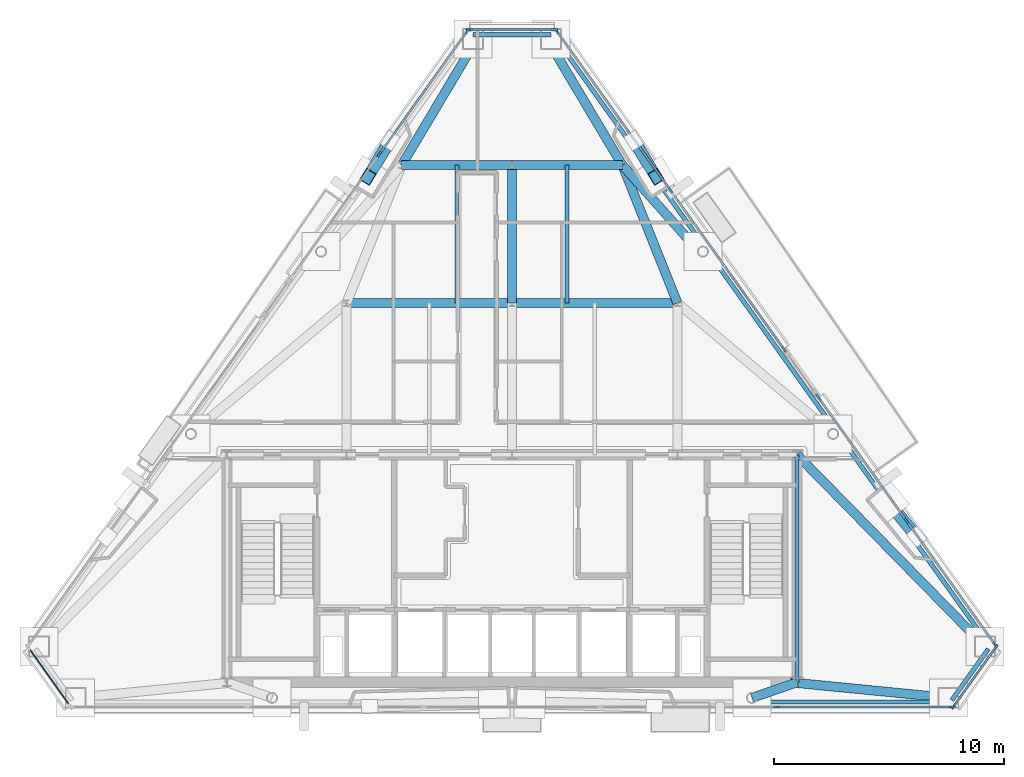
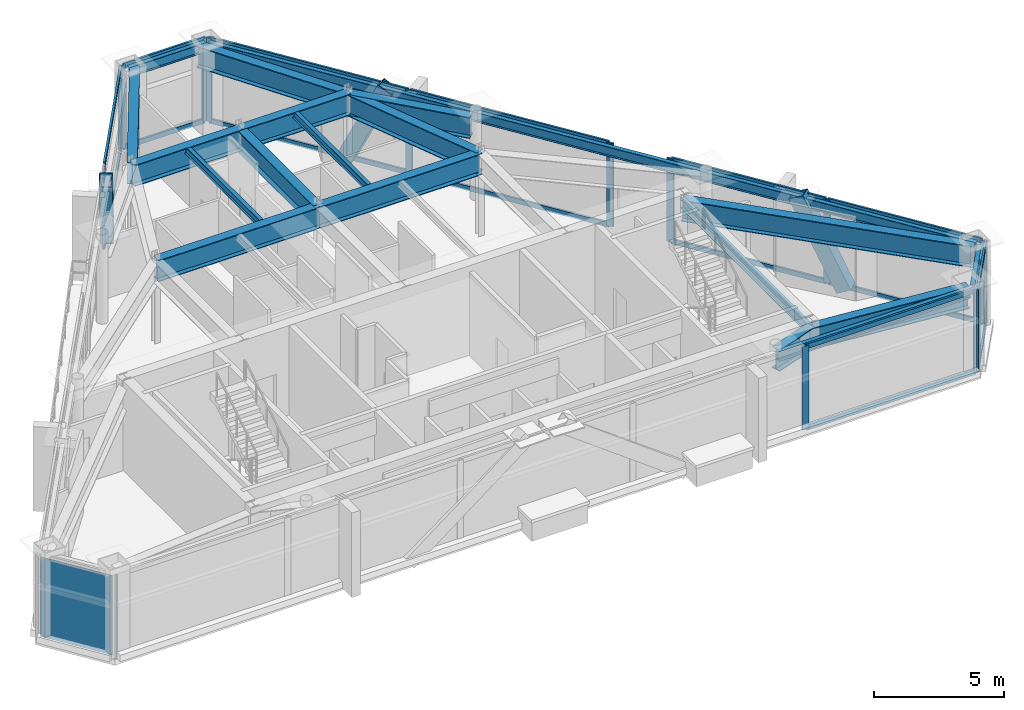
# One storey, part 4 of 10: 33 members, 21 beams, 1 plate, 7 elements without a shape of their own.
"""IFC4 building model written with IfcOpenShell, lengths in metres."""

from ifc_helpers import new_model, si_unit, direction, frame, origin, origin_2d, place, context, subcontext, project, spatial, rectangle, hollow_rectangle, i_section, extrude, source, transform, mapped, material, layer, layer_set, material_profile, profile_set, type_object, type_shapes, element, aggregate, save


model = new_model("IFC4")

# Units and contexts
model_context = context("Model", 3, precision=1e-05, world=origin(), true_north=direction((0.0, 1.0)))
body_context = subcontext(model_context, "Body", "Model", "MODEL_VIEW")
ifc_project = project(units=[si_unit("LENGTHUNIT", "METRE"), si_unit("AREAUNIT", "SQUARE_METRE"), si_unit("VOLUMEUNIT", "CUBIC_METRE"), si_unit("PLANEANGLEUNIT", "RADIAN"), si_unit("MASSUNIT", "GRAM", prefix="KILO")], contexts=[model_context])

# Site, building, storey
site_placement = place(None, origin())
site = spatial("IfcSite", under=ifc_project, at=site_placement, CompositionType="ELEMENT")
building_placement = place(site_placement, origin())
building = spatial("IfcBuilding", under=site, at=building_placement, Name="Talgorran Terracotta Tower", CompositionType="ELEMENT")
storey_placement = place(building_placement, frame((0.0, 0.0, 289.199951171875)))
storey = spatial("IfcBuildingStorey", under=building, at=storey_placement, Name="L76", CompositionType="ELEMENT", Elevation=289.199951171875)

# Beams
ifc_material_1 = material(Name="Steel Grade 350 (350L0)", Category="steel")
ifc_material_profile_1 = material_profile(ifc_material_1, i_section(OverallWidth=0.39990234375, OverallDepth=1.0, WebThickness=0.01611328125, FlangeThickness=0.031005859375, at=origin_2d()), Name="1000WB296")
ifc_profile_set_1 = profile_set([ifc_material_profile_1], Name="Steel Grade 350 (350L0)")
beam_type_1 = type_object("IfcBeamType", Name="BM_1000WB296", PredefinedType="BEAM", material=ifc_profile_set_1)
beam_1_placement = place(storey_placement, frame((12.39990234375, -14.10009765625, 3.420166015625), z_axis=(-0.945513197236, -0.325583773939, 0.0), x_axis=(0.325583773939, -0.945513197236, 0.0)))
element("IfcBeam", 1, at=beam_1_placement, inside=storey, type_object=beam_type_1, Name="L76 South-East Core Tie Beam", PredefinedType="BEAM", context=body_context, shape_type="SweptSolid", body=[
    extrude(i_section(OverallWidth=0.39990234375, OverallDepth=1.0, WebThickness=0.01611328125, FlangeThickness=0.031005859375, at=origin_2d()), origin(), (0.0, 0.0, 1.0), 2.071044921875),
])
beam_2_placement = place(storey_placement, frame((18.984619140625, -14.7744140625, 3.420166015625), z_axis=(-0.995237458524, 0.097480260309, 0.0), x_axis=(-0.097480260309, -0.995237458524, 0.0)))
element("IfcBeam", 2, at=beam_2_placement, inside=storey, type_object=beam_type_1, Name="L76 Perimeter Step Girder 5", PredefinedType="BEAM", context=body_context, shape_type="SweptSolid", body=[
    extrude(i_section(OverallWidth=0.39990234375, OverallDepth=1.0, WebThickness=0.01611328125, FlangeThickness=0.031005859375, at=origin_2d()), origin(), (0.0, 0.0, 1.0), 6.91748046875),
])
for number, where, z_axis, x_axis, name in (
    (3, (1.4267578125, 14.0546875, 3.420166015625), (0.512307567748, -0.858802047056, 0.0), (0.858802047056, 0.512307567748, 0.0), "L76 Perimeter Step Girder 9B"),
    (4, (-1.4267578125, 14.0546875, 3.420166015625), (-0.512307567748, -0.858802047056, 0.0), (0.858802047056, -0.512307567748, 0.0), "L76 Perimeter Step Girder 10B"),
):
    element("IfcBeam", number, at=place(storey_placement, frame(where, z_axis=z_axis, x_axis=x_axis)), inside=storey, type_object=beam_type_1, Name=name, PredefinedType="BEAM", context=body_context, shape_type="SweptSolid", body=[
        extrude(i_section(OverallWidth=0.39990234375, OverallDepth=1.0, WebThickness=0.01611328125, FlangeThickness=0.031005859375, at=origin_2d()), origin(), (0.0, 0.0, 1.0), 6.58447265625),
    ])
for number, where, z_axis, x_axis, name in (
    (5, (-7.199951171875, 2.39990234375, 3.420166015625), (1.0, 0.0, 0.0), (0.0, 1.0, 0.0), "L76 Floor Girder G04"),
    (6, (0.0, 2.39990234375, 3.420166015625), (1.0, 0.0, 0.0), (0.0, 1.0, 0.0), "L76 Floor Girder G05"),
):
    element("IfcBeam", number, at=place(storey_placement, frame(where, z_axis=z_axis, x_axis=x_axis)), inside=storey, type_object=beam_type_1, Name=name, PredefinedType="BEAM", context=body_context, shape_type="SweptSolid", body=[
        extrude(i_section(OverallWidth=0.39990234375, OverallDepth=1.0, WebThickness=0.01611328125, FlangeThickness=0.031005859375, at=origin_2d()), origin(), (0.0, 0.0, 1.0), 7.199951171875),
    ])
beam_3_placement = place(storey_placement, frame((0.0, 2.39990234375, 3.420166015625), z_axis=(0.0, 1.0, 0.0), x_axis=(-1.0, 0.0, 0.0)))
element("IfcBeam", 7, at=beam_3_placement, inside=storey, type_object=beam_type_1, Name="L76 Floor Girder G09", PredefinedType="BEAM", context=body_context, shape_type="SweptSolid", body=[
    extrude(i_section(OverallWidth=0.39990234375, OverallDepth=1.0, WebThickness=0.01611328125, FlangeThickness=0.031005859375, at=origin_2d()), origin(), (0.0, 0.0, 1.0), 6.0),
])
beam_4_placement = place(storey_placement, frame((7.199951171875, 2.39990234375, 3.420166015625), z_axis=(-0.371377648723, 0.928481901832, 0.0), x_axis=(-0.928481901832, -0.371377648723, 0.0)))
element("IfcBeam", 8, at=beam_4_placement, inside=storey, type_object=beam_type_1, Name="L76 Floor Girder G10", PredefinedType="BEAM", context=body_context, shape_type="SweptSolid", body=[
    extrude(i_section(OverallWidth=0.39990234375, OverallDepth=1.0, WebThickness=0.01611328125, FlangeThickness=0.031005859375, at=origin_2d()), origin(), (0.0, 0.0, 1.0), 6.462158203125),
])
for number, where, z_axis, x_axis, name in (
    (9, (-4.800048828125, 8.39990234375, 3.420166015625), (1.0, 0.0, 0.0), (0.0, 1.0, 0.0), "L76 Floor Girder G11"),
    (10, (0.0, 8.39990234375, 3.420166015625), (1.0, 0.0, 0.0), (0.0, 1.0, 0.0), "L76 Floor Girder G12"),
):
    element("IfcBeam", number, at=place(storey_placement, frame(where, z_axis=z_axis, x_axis=x_axis)), inside=storey, type_object=beam_type_1, Name=name, PredefinedType="BEAM", context=body_context, shape_type="SweptSolid", body=[
        extrude(i_section(OverallWidth=0.39990234375, OverallDepth=1.0, WebThickness=0.01611328125, FlangeThickness=0.031005859375, at=origin_2d()), origin(), (0.0, 0.0, 1.0), 4.800048828125),
    ])
beam_5_placement = place(storey_placement, frame((4.800048828125, 8.39990234375, 3.420166015625), z_axis=(0.664939305992, -0.746897395462, 0.0), x_axis=(0.746897395462, 0.664939305992, 0.0)))
element("IfcBeam", 11, at=beam_5_placement, inside=storey, type_object=beam_type_1, Name="L76 Floor Girder G14", PredefinedType="BEAM", context=body_context, shape_type="SweptSolid", body=[
    extrude(i_section(OverallWidth=0.39990234375, OverallDepth=1.0, WebThickness=0.01611328125, FlangeThickness=0.031005859375, at=origin_2d()), origin(), (0.0, 0.0, 1.0), 5.00146484375),
])
beam_6_placement = place(storey_placement, frame((12.39990234375, -4.199951171875, 3.420166015625), z_axis=(0.700061173466, -0.714082875726, 0.0), x_axis=(0.714082875726, 0.700061173466, 0.0)))
element("IfcBeam", 12, at=beam_6_placement, inside=storey, type_object=beam_type_1, Name="L76 Floor Girder G18", PredefinedType="BEAM", context=body_context, shape_type="SweptSolid", body=[
    extrude(i_section(OverallWidth=0.39990234375, OverallDepth=1.0, WebThickness=0.01611328125, FlangeThickness=0.031005859375, at=origin_2d()), origin(), (0.0, 0.0, 1.0), 11.68310546875),
])
ifc_material_2 = material(Name="Steel S355 (300PLUS)", Category="steel")
ifc_material_profile_2 = material_profile(ifc_material_2, i_section(OverallWidth=0.17138671875, OverallDepth=0.355712890625, WebThickness=0.00732421875, FlangeThickness=0.011474609375, at=origin_2d()), Name="360UB50.7")
ifc_profile_set_2 = profile_set([ifc_material_profile_2], Name="Steel S355 (300PLUS)")
beam_type_2 = type_object("IfcBeamType", Name="BM_JS_360UB51", PredefinedType="JOIST", material=ifc_profile_set_2)
for number, where, z_axis, x_axis, name in (
    (13, (-2.39990234375, 2.39990234375, 3.7421875), (0.0, 1.0, 0.0), (-1.0, 0.0, 0.0), "L76 Secondary Joist J03"),
    (14, (2.39990234375, 2.39990234375, 3.7421875), (0.0, 1.0, 0.0), (-1.0, 0.0, 0.0), "L76 Secondary Joist J04"),
):
    element("IfcBeam", number, at=place(storey_placement, frame(where, z_axis=z_axis, x_axis=x_axis)), inside=storey, type_object=beam_type_2, Name=name, PredefinedType="JOIST", context=body_context, shape_type="SweptSolid", body=[
        extrude(i_section(OverallWidth=0.17138671875, OverallDepth=0.355712890625, WebThickness=0.00732421875, FlangeThickness=0.011474609375, at=origin_2d()), origin(), (0.0, 0.0, 1.0), 6.0),
    ])
ifc_material_profile_3 = material_profile(ifc_material_2, i_section(OverallWidth=0.18994140625, OverallDepth=0.45703125, WebThickness=0.009033203125, FlangeThickness=0.014404296875, at=origin_2d()), Name="460UB74.6")
ifc_profile_set_3 = profile_set([ifc_material_profile_3], Name="Steel S355 (300PLUS)")
beam_type_3 = type_object("IfcBeamType", Name="BM_SP_460UB74", PredefinedType="SPANDREL", material=ifc_profile_set_3)
beam_7_placement = place(storey_placement, frame((10.441650390625, -14.954345703125, 3.691650390625), z_axis=(1.0, 0.0, 0.0), x_axis=(0.0, 1.0, 0.0)))
element("IfcBeam", 15, at=beam_7_placement, inside=storey, type_object=beam_type_3, Name="L76 Perimeter Spandrel Beam FC2-MC3", PredefinedType="SPANDREL", context=body_context, shape_type="SweptSolid", body=[
    extrude(i_section(OverallWidth=0.18994140625, OverallDepth=0.45703125, WebThickness=0.009033203125, FlangeThickness=0.014404296875, at=origin_2d()), origin(), (0.0, 0.0, 1.0), 8.54296875),
])
beam_8_placement = place(storey_placement, frame((19.131103515625, -14.87890625, 3.691650390625), z_axis=(0.581322401873, 0.813673315945, 0.0), x_axis=(-0.813673315945, 0.581322401873, 0.0)))
element("IfcBeam", 16, at=beam_8_placement, inside=storey, type_object=beam_type_3, Name="L76 Perimeter Spandrel Beam MC3-MC4", PredefinedType="SPANDREL", context=body_context, shape_type="SweptSolid", body=[
    extrude(i_section(OverallWidth=0.18994140625, OverallDepth=0.45703125, WebThickness=0.009033203125, FlangeThickness=0.014404296875, at=origin_2d()), origin(), (0.0, 0.0, 1.0), 2.742431640625),
])
beam_9_placement = place(storey_placement, frame((20.725341796875, -12.438232421875, 3.691650390625), z_axis=(-0.581260538156, 0.813717510431, 0.0), x_axis=(-0.813717510431, -0.581260538156, 0.0)))
element("IfcBeam", 17, at=beam_9_placement, inside=storey, type_object=beam_type_3, Name="L76 Perimeter Spandrel Beam MC4-FC3", PredefinedType="SPANDREL", context=body_context, shape_type="SweptSolid", body=[
    extrude(i_section(OverallWidth=0.18994140625, OverallDepth=0.45703125, WebThickness=0.009033203125, FlangeThickness=0.014404296875, at=origin_2d()), origin(), (0.0, 0.0, 1.0), 11.369140625),
])
beam_10_placement = place(storey_placement, frame((14.116943359375, -3.18701171875, 3.691650390625), z_axis=(-0.58124293337, 0.813730085721, 0.0), x_axis=(-0.813730085721, -0.58124293337, 0.0)))
element("IfcBeam", 18, at=beam_10_placement, inside=storey, type_object=beam_type_3, Name="L76 Perimeter Spandrel Beam FC3-FC4", PredefinedType="SPANDREL", context=body_context, shape_type="SweptSolid", body=[
    extrude(i_section(OverallWidth=0.18994140625, OverallDepth=0.45703125, WebThickness=0.009033203125, FlangeThickness=0.014404296875, at=origin_2d()), origin(), (0.0, 0.0, 1.0), 9.7451171875),
])
beam_11_placement = place(storey_placement, frame((8.45263671875, 4.742919921875, 3.691650390625), z_axis=(-0.581246319121, 0.813727667287, 0.0), x_axis=(-0.813727667287, -0.581246319121, 0.0)))
element("IfcBeam", 19, at=beam_11_placement, inside=storey, type_object=beam_type_3, Name="L76 Perimeter Spandrel Beam FC4-MC5", PredefinedType="SPANDREL", context=body_context, shape_type="SweptSolid", body=[
    extrude(i_section(OverallWidth=0.18994140625, OverallDepth=0.45703125, WebThickness=0.009033203125, FlangeThickness=0.014404296875, at=origin_2d()), origin(), (0.0, 0.0, 1.0), 11.368896484375),
])
beam_12_placement = place(storey_placement, frame((1.697998046875, 14.069580078125, 3.691650390625), z_axis=(-1.0, 0.0, 0.0), x_axis=(0.0, -1.0, 0.0)))
element("IfcBeam", 20, at=beam_12_placement, inside=storey, type_object=beam_type_3, Name="L76 Perimeter Spandrel Beam MC5-MC6", PredefinedType="SPANDREL", context=body_context, shape_type="SweptSolid", body=[
    extrude(i_section(OverallWidth=0.18994140625, OverallDepth=0.45703125, WebThickness=0.009033203125, FlangeThickness=0.014404296875, at=origin_2d()), origin(), (0.0, 0.0, 1.0), 3.39599609375),
])
beam_13_placement = place(storey_placement, frame((12.39990234375, -14.10009765625, 3.691650390625), z_axis=(0.0, 1.0, 0.0), x_axis=(-1.0, 0.0, 0.0)))
element("IfcBeam", 21, at=beam_13_placement, inside=storey, type_object=beam_type_3, Name="L76 Core Frame Beam CFE", PredefinedType="SPANDREL", context=body_context, shape_type="SweptSolid", body=[
    extrude(i_section(OverallWidth=0.18994140625, OverallDepth=0.45703125, WebThickness=0.009033203125, FlangeThickness=0.014404296875, at=origin_2d()), origin(), (0.0, 0.0, 1.0), 9.900146484375),
])

# Members
ifc_material_profile_4 = material_profile(ifc_material_1, hollow_rectangle(XDim=0.52001953125, YDim=0.659912109375, WallThickness=0.034912109375, at=origin_2d()), Name="WBOX660X520X35")
ifc_profile_set_4 = profile_set([ifc_material_profile_4], Name="Steel Grade 350 (350L0)")
member_type_1 = type_object("IfcMemberType", Name="MB_MEGA_660", PredefinedType="BRACE", material=ifc_profile_set_4)
member_1_placement = place(storey_placement, frame((17.6083984375, -7.764892578125, -0.02490234375), z_axis=(-0.283163616823, 0.342066498003, 0.895996025132), x_axis=(-0.770312351135, -0.637666748145, 0.0)))
element("IfcMember", 22, at=member_1_placement, inside=storey, type_object=member_type_1, Name="L76 Exterior Face Mega-Brace MB-3 (NEL)", PredefinedType="BRACE", context=body_context, shape_type="SweptSolid", body=[
    extrude(hollow_rectangle(XDim=0.52001953125, YDim=0.659912109375, WallThickness=0.034912109375, at=origin_2d()), origin(), (0.0, 0.0, 1.0), 4.430908203125),
])
for number, where, z_axis, x_axis, name in (
    (23, (5.296142578125, 9.471435546875, -0.02490234375), (0.22159996445, -0.361033024032, 0.905841383087), (0.852262770099, 0.523113917521, 0.0), "L76 Exterior Face Mega-Brace MB-3 (NEU)"),
    (24, (-5.296142578125, 9.471435546875, -0.02490234375), (-0.22159996445, -0.361033024032, 0.905841383087), (0.852262770099, -0.523113917521, 0.0), "L76 Exterior Face Mega-Brace MB-3 (NWU)"),
):
    element("IfcMember", number, at=place(storey_placement, frame(where, z_axis=z_axis, x_axis=x_axis)), inside=storey, type_object=member_type_1, Name=name, PredefinedType="BRACE", context=body_context, shape_type="SweptSolid", body=[
        extrude(hollow_rectangle(XDim=0.52001953125, YDim=0.659912109375, WallThickness=0.034912109375, at=origin_2d()), origin(), (0.0, 0.0, 1.0), 4.382568359375),
    ])

# Curtain wall, members
ifc_material_3 = material(Name="Structural Laminated Low-Iron")
ifc_layer_1 = layer(ifc_material_3, 0.239990234375, Name="CW_SYS5_SKY_OBS")
ifc_layer_set_1 = layer_set([ifc_layer_1], Name="Structural Laminated Low-Iron")
curtain_wall_type = type_object("IfcCurtainWallType", Name="CW_SYS5_SKY_OBS", PredefinedType="NOTDEFINED", material=ifc_layer_set_1)
curtain_wall_1_placement = place(storey_placement, origin())
curtain_wall_1 = element("IfcCurtainWall", 25, at=curtain_wall_1_placement, inside=storey, type_object=curtain_wall_type, Name="CW-L76-F1", PredefinedType="NOTDEFINED")
ifc_material_4 = material(Name="Architectural Aluminium 6063-T6", Category="aluminium")
ifc_material_profile_5 = material_profile(ifc_material_4, rectangle(XDim=0.090087890625, YDim=0.280029296875, at=origin_2d()), Name="CWM90X280")
ifc_profile_set_5 = profile_set([ifc_material_profile_5], Name="Architectural Aluminium 6063-T6")
member_type_2 = type_object("IfcMemberType", Name="MUL_90X280", PredefinedType="MULLION", material=ifc_profile_set_5)
member_2_placement = place(storey_placement, frame((11.514404296875, -15.17431640625, 0.0), z_axis=(0.0, 0.0, 1.0), x_axis=(0.0, 1.0, 0.0)))
member_2 = element("IfcMember", 26, at=member_2_placement, type_object=member_type_2, Name="CW-L76-1 mullion 5", PredefinedType="MULLION", context=body_context, shape_type="SweptSolid", body=[
    extrude(rectangle(XDim=0.090087890625, YDim=0.280029296875, at=origin_2d()), origin(), (0.0, 0.0, 1.0), 3.920166015625),
])
member_3_placement = place(storey_placement, frame((19.1455078125, -15.17431640625, 0.0), z_axis=(0.0, 0.0, 1.0), x_axis=(0.0, 1.0, 0.0)))
member_3 = element("IfcMember", 27, at=member_3_placement, type_object=member_type_2, Name="CW-L76-1 mullion 6", PredefinedType="MULLION", context=body_context, shape_type="SweptSolid", body=[
    extrude(rectangle(XDim=0.090087890625, YDim=0.280029296875, at=origin_2d()), origin(), (0.0, 0.0, 1.0), 3.920166015625),
])

curtain_wall_2_placement = place(storey_placement, origin())
curtain_wall_2 = element("IfcCurtainWall", 28, at=curtain_wall_2_placement, inside=storey, type_object=curtain_wall_type, Name="CW-L76-F2", PredefinedType="NOTDEFINED")
member_4_placement = place(storey_placement, frame((19.216552734375, -15.1376953125, 0.0), z_axis=(0.0, 0.0, 1.0), x_axis=(-0.813720935413, 0.58125574343, 0.0)))
member_4 = element("IfcMember", 29, at=member_4_placement, type_object=member_type_2, Name="CW-L76-2 mullion 1", PredefinedType="MULLION", context=body_context, shape_type="SweptSolid", body=[
    extrude(rectangle(XDim=0.090087890625, YDim=0.280029296875, at=origin_2d()), origin(), (0.0, 0.0, 1.0), 3.920166015625),
])
member_5_placement = place(storey_placement, frame((21.044189453125, -12.579345703125, 0.0), z_axis=(0.0, 0.0, 1.0), x_axis=(-0.813720935413, 0.58125574343, 0.0)))
member_5 = element("IfcMember", 30, at=member_5_placement, type_object=member_type_2, Name="CW-L76-2 mullion 2", PredefinedType="MULLION", context=body_context, shape_type="SweptSolid", body=[
    extrude(rectangle(XDim=0.090087890625, YDim=0.280029296875, at=origin_2d()), origin(), (0.0, 0.0, 1.0), 3.920166015625),
])

curtain_wall_3_placement = place(storey_placement, origin())
curtain_wall_3 = element("IfcCurtainWall", 31, at=curtain_wall_3_placement, inside=storey, type_object=curtain_wall_type, Name="CW-L76-F40", PredefinedType="NOTDEFINED")
member_6_placement = place(storey_placement, frame((21.020751953125, -12.4736328125, 0.0), z_axis=(0.0, 0.0, 1.0), x_axis=(-0.813728408553, -0.581245281369, 0.0)))
member_6 = element("IfcMember", 32, at=member_6_placement, type_object=member_type_2, Name="CW-L76-40 mullion 1", PredefinedType="MULLION", context=body_context, shape_type="SweptSolid", body=[
    extrude(rectangle(XDim=0.090087890625, YDim=0.280029296875, at=origin_2d()), origin(), (0.0, 0.0, 1.0), 3.920166015625),
])
member_7_placement = place(storey_placement, frame((17.168212890625, -7.080078125, 0.0), z_axis=(0.0, 0.0, 1.0), x_axis=(-0.813728408553, -0.581245281369, 0.0)))
member_7 = element("IfcMember", 33, at=member_7_placement, type_object=member_type_2, Name="CW-L76-40 mullion 2", PredefinedType="MULLION", context=body_context, shape_type="SweptSolid", body=[
    extrude(rectangle(XDim=0.090087890625, YDim=0.280029296875, at=origin_2d()), origin(), (0.0, 0.0, 1.0), 3.920166015625),
])
member_8_placement = place(storey_placement, frame((13.315673828125, -1.6865234375, 0.0), z_axis=(0.0, 0.0, 1.0), x_axis=(-0.813728408553, -0.581245281369, 0.0)))
member_8 = element("IfcMember", 34, at=member_8_placement, type_object=member_type_2, Name="CW-L76-40 mullion 3", PredefinedType="MULLION", context=body_context, shape_type="SweptSolid", body=[
    extrude(rectangle(XDim=0.090087890625, YDim=0.280029296875, at=origin_2d()), origin(), (0.0, 0.0, 1.0), 3.920166015625),
])

curtain_wall_4_placement = place(storey_placement, origin())
curtain_wall_4 = element("IfcCurtainWall", 35, at=curtain_wall_4_placement, inside=storey, type_object=curtain_wall_type, Name="CW-L76-F41", PredefinedType="NOTDEFINED")
member_9_placement = place(storey_placement, frame((11.83349609375, 0.388427734375, 0.0), z_axis=(0.0, 0.0, 1.0), x_axis=(-0.813726749352, -0.5812476042, 0.0)))
member_9 = element("IfcMember", 36, at=member_9_placement, type_object=member_type_2, Name="CW-L76-41 mullion 1", PredefinedType="MULLION", context=body_context, shape_type="SweptSolid", body=[
    extrude(rectangle(XDim=0.090087890625, YDim=0.280029296875, at=origin_2d()), origin(), (0.0, 0.0, 1.0), 3.920166015625),
])
member_10_placement = place(storey_placement, frame((6.893310546875, 7.304443359375, 0.0), z_axis=(0.0, 0.0, 1.0), x_axis=(-0.813726749352, -0.5812476042, 0.0)))
member_10 = element("IfcMember", 37, at=member_10_placement, type_object=member_type_2, Name="CW-L76-41 mullion 2", PredefinedType="MULLION", context=body_context, shape_type="SweptSolid", body=[
    extrude(rectangle(XDim=0.090087890625, YDim=0.280029296875, at=origin_2d()), origin(), (0.0, 0.0, 1.0), 3.920166015625),
])
member_11_placement = place(storey_placement, frame((1.953125, 14.220458984375, 0.0), z_axis=(0.0, 0.0, 1.0), x_axis=(-0.813726749352, -0.5812476042, 0.0)))
member_11 = element("IfcMember", 38, at=member_11_placement, type_object=member_type_2, Name="CW-L76-41 mullion 3", PredefinedType="MULLION", context=body_context, shape_type="SweptSolid", body=[
    extrude(rectangle(XDim=0.090087890625, YDim=0.280029296875, at=origin_2d()), origin(), (0.0, 0.0, 1.0), 3.920166015625),
])

curtain_wall_5_placement = place(storey_placement, origin())
curtain_wall_5 = element("IfcCurtainWall", 39, at=curtain_wall_5_placement, inside=storey, type_object=curtain_wall_type, Name="CW-L76-F4", PredefinedType="NOTDEFINED")
member_12_placement = place(storey_placement, frame((1.858642578125, 14.28955078125, 0.0), z_axis=(0.0, 0.0, 1.0), x_axis=(0.0, -1.0, 0.0)))
member_12 = element("IfcMember", 40, at=member_12_placement, type_object=member_type_2, Name="CW-L76-4 mullion 1", PredefinedType="MULLION", context=body_context, shape_type="SweptSolid", body=[
    extrude(rectangle(XDim=0.090087890625, YDim=0.280029296875, at=origin_2d()), origin(), (0.0, 0.0, 1.0), 3.920166015625),
])
member_13_placement = place(storey_placement, frame((-1.858642578125, 14.28955078125, 0.0), z_axis=(0.0, 0.0, 1.0), x_axis=(0.0, -1.0, 0.0)))
member_13 = element("IfcMember", 41, at=member_13_placement, type_object=member_type_2, Name="CW-L76-4 mullion 2", PredefinedType="MULLION", context=body_context, shape_type="SweptSolid", body=[
    extrude(rectangle(XDim=0.090087890625, YDim=0.280029296875, at=origin_2d()), origin(), (0.0, 0.0, 1.0), 3.920166015625),
])

curtain_wall_6_placement = place(storey_placement, origin())
curtain_wall_6 = element("IfcCurtainWall", 42, at=curtain_wall_6_placement, inside=storey, type_object=curtain_wall_type, Name="CW-L76-F60", PredefinedType="NOTDEFINED")
member_14_placement = place(storey_placement, frame((-1.953125, 14.220458984375, 0.0), z_axis=(0.0, 0.0, 1.0), x_axis=(0.813728364444, -0.581245343121, 0.0)))
member_14 = element("IfcMember", 43, at=member_14_placement, type_object=member_type_2, Name="CW-L76-60 mullion 1", PredefinedType="MULLION", context=body_context, shape_type="SweptSolid", body=[
    extrude(rectangle(XDim=0.090087890625, YDim=0.280029296875, at=origin_2d()), origin(), (0.0, 0.0, 1.0), 3.920166015625),
])
member_15_placement = place(storey_placement, frame((-5.772216796875, 8.873779296875, 0.0), z_axis=(0.0, 0.0, 1.0), x_axis=(0.813728364444, -0.581245343121, 0.0)))
member_15 = element("IfcMember", 44, at=member_15_placement, type_object=member_type_2, Name="CW-L76-60 mullion 2", PredefinedType="MULLION", context=body_context, shape_type="SweptSolid", body=[
    extrude(rectangle(XDim=0.090087890625, YDim=0.280029296875, at=origin_2d()), origin(), (0.0, 0.0, 1.0), 3.920166015625),
])

# Member
ifc_material_profile_6 = material_profile(ifc_material_4, rectangle(XDim=0.090087890625, YDim=0.22509765625, at=origin_2d()), Name="CWT90X225")
ifc_profile_set_6 = profile_set([ifc_material_profile_6], Name="Architectural Aluminium 6063-T6")
member_type_3 = type_object("IfcMemberType", Name="TRN_90X225", PredefinedType="USERDEFINED", material=ifc_profile_set_6)
member_16_placement = place(storey_placement, frame((11.559326171875, -15.17431640625, 0.045166015625), z_axis=(1.0, 0.0, 0.0), x_axis=(0.0, 1.0, 0.0)))
member_16 = element("IfcMember", 45, at=member_16_placement, type_object=member_type_3, Name="CW-L76-1 transom 5.1", ObjectType="TRANSOM", PredefinedType="USERDEFINED", context=body_context, shape_type="SweptSolid", body=[
    extrude(rectangle(XDim=0.090087890625, YDim=0.22509765625, at=origin_2d()), origin(), (0.0, 0.0, 1.0), 7.541259765625),
])

member_17_placement = place(storey_placement, frame((11.559326171875, -15.17431640625, 3.875), z_axis=(1.0, 0.0, 0.0), x_axis=(0.0, 1.0, 0.0)))
member_17 = element("IfcMember", 46, at=member_17_placement, type_object=member_type_3, Name="CW-L76-1 transom 5.2", ObjectType="TRANSOM", PredefinedType="USERDEFINED", context=body_context, shape_type="SweptSolid", body=[
    extrude(rectangle(XDim=0.090087890625, YDim=0.22509765625, at=origin_2d()), origin(), (0.0, 0.0, 1.0), 7.541259765625),
])

aggregate(curtain_wall_1, [member_2, member_3, member_16, member_17])

member_18_placement = place(storey_placement, frame((19.242919921875, -15.10107421875, 0.045166015625), z_axis=(0.581253317652, 0.813722668185, 0.0), x_axis=(-0.813722668185, 0.581253317652, 0.0)))
member_18 = element("IfcMember", 47, at=member_18_placement, type_object=member_type_3, Name="CW-L76-2 transom 1.1", ObjectType="TRANSOM", PredefinedType="USERDEFINED", context=body_context, shape_type="SweptSolid", body=[
    extrude(rectangle(XDim=0.090087890625, YDim=0.22509765625, at=origin_2d()), origin(), (0.0, 0.0, 1.0), 3.053955078125),
])

member_19_placement = place(storey_placement, frame((19.242919921875, -15.10107421875, 3.875), z_axis=(0.581253317652, 0.813722668185, 0.0), x_axis=(-0.813722668185, 0.581253317652, 0.0)))
member_19 = element("IfcMember", 48, at=member_19_placement, type_object=member_type_3, Name="CW-L76-2 transom 1.2", ObjectType="TRANSOM", PredefinedType="USERDEFINED", context=body_context, shape_type="SweptSolid", body=[
    extrude(rectangle(XDim=0.090087890625, YDim=0.22509765625, at=origin_2d()), origin(), (0.0, 0.0, 1.0), 3.053955078125),
])

aggregate(curtain_wall_2, [member_4, member_5, member_18, member_19])

member_20_placement = place(storey_placement, frame((20.99462890625, -12.43701171875, 0.045166015625), z_axis=(-0.581245258153, 0.813728425136, 0.0), x_axis=(-0.813728425136, -0.581245258153, 0.0)))
member_20 = element("IfcMember", 49, at=member_20_placement, type_object=member_type_3, Name="CW-L76-40 transom 1.1", ObjectType="TRANSOM", PredefinedType="USERDEFINED", context=body_context, shape_type="SweptSolid", body=[
    extrude(rectangle(XDim=0.090087890625, YDim=0.22509765625, at=origin_2d()), origin(), (0.0, 0.0, 1.0), 6.5380859375),
])

member_21_placement = place(storey_placement, frame((20.99462890625, -12.43701171875, 3.875), z_axis=(-0.581245258153, 0.813728425136, 0.0), x_axis=(-0.813728425136, -0.581245258153, 0.0)))
member_21 = element("IfcMember", 50, at=member_21_placement, type_object=member_type_3, Name="CW-L76-40 transom 1.2", ObjectType="TRANSOM", PredefinedType="USERDEFINED", context=body_context, shape_type="SweptSolid", body=[
    extrude(rectangle(XDim=0.090087890625, YDim=0.22509765625, at=origin_2d()), origin(), (0.0, 0.0, 1.0), 6.5380859375),
])

member_22_placement = place(storey_placement, frame((17.14208984375, -7.04345703125, 0.045166015625), z_axis=(-0.581245258153, 0.813728425136, 0.0), x_axis=(-0.813728425136, -0.581245258153, 0.0)))
member_22 = element("IfcMember", 51, at=member_22_placement, type_object=member_type_3, Name="CW-L76-40 transom 2.1", ObjectType="TRANSOM", PredefinedType="USERDEFINED", context=body_context, shape_type="SweptSolid", body=[
    extrude(rectangle(XDim=0.090087890625, YDim=0.22509765625, at=origin_2d()), origin(), (0.0, 0.0, 1.0), 6.5380859375),
])

member_23_placement = place(storey_placement, frame((17.14208984375, -7.04345703125, 3.875), z_axis=(-0.581245258153, 0.813728425136, 0.0), x_axis=(-0.813728425136, -0.581245258153, 0.0)))
member_23 = element("IfcMember", 52, at=member_23_placement, type_object=member_type_3, Name="CW-L76-40 transom 2.2", ObjectType="TRANSOM", PredefinedType="USERDEFINED", context=body_context, shape_type="SweptSolid", body=[
    extrude(rectangle(XDim=0.090087890625, YDim=0.22509765625, at=origin_2d()), origin(), (0.0, 0.0, 1.0), 6.5380859375),
])

aggregate(curtain_wall_3, [member_6, member_7, member_8, member_20, member_21, member_22, member_23])

member_24_placement = place(storey_placement, frame((11.807373046875, 0.425048828125, 0.045166015625), z_axis=(-0.581257417705, 0.813719739445, 0.0), x_axis=(-0.813719739445, -0.581257417705, 0.0)))
member_24 = element("IfcMember", 53, at=member_24_placement, type_object=member_type_3, Name="CW-L76-41 transom 1.1", ObjectType="TRANSOM", PredefinedType="USERDEFINED", context=body_context, shape_type="SweptSolid", body=[
    extrude(rectangle(XDim=0.090087890625, YDim=0.22509765625, at=origin_2d()), origin(), (0.0, 0.0, 1.0), 8.4091796875),
])

member_25_placement = place(storey_placement, frame((11.807373046875, 0.425048828125, 3.875), z_axis=(-0.581257417705, 0.813719739445, 0.0), x_axis=(-0.813719739445, -0.581257417705, 0.0)))
member_25 = element("IfcMember", 54, at=member_25_placement, type_object=member_type_3, Name="CW-L76-41 transom 1.2", ObjectType="TRANSOM", PredefinedType="USERDEFINED", context=body_context, shape_type="SweptSolid", body=[
    extrude(rectangle(XDim=0.090087890625, YDim=0.22509765625, at=origin_2d()), origin(), (0.0, 0.0, 1.0), 8.4091796875),
])

member_26_placement = place(storey_placement, frame((6.8671875, 7.341064453125, 0.045166015625), z_axis=(-0.581257417705, 0.813719739445, 0.0), x_axis=(-0.813719739445, -0.581257417705, 0.0)))
member_26 = element("IfcMember", 55, at=member_26_placement, type_object=member_type_3, Name="CW-L76-41 transom 2.1", ObjectType="TRANSOM", PredefinedType="USERDEFINED", context=body_context, shape_type="SweptSolid", body=[
    extrude(rectangle(XDim=0.090087890625, YDim=0.22509765625, at=origin_2d()), origin(), (0.0, 0.0, 1.0), 8.4091796875),
])

member_27_placement = place(storey_placement, frame((6.8671875, 7.341064453125, 3.875), z_axis=(-0.581257417705, 0.813719739445, 0.0), x_axis=(-0.813719739445, -0.581257417705, 0.0)))
member_27 = element("IfcMember", 56, at=member_27_placement, type_object=member_type_3, Name="CW-L76-41 transom 2.2", ObjectType="TRANSOM", PredefinedType="USERDEFINED", context=body_context, shape_type="SweptSolid", body=[
    extrude(rectangle(XDim=0.090087890625, YDim=0.22509765625, at=origin_2d()), origin(), (0.0, 0.0, 1.0), 8.4091796875),
])

aggregate(curtain_wall_4, [member_9, member_10, member_11, member_24, member_25, member_26, member_27])

member_28_placement = place(storey_placement, frame((1.813720703125, 14.28955078125, 0.045166015625), z_axis=(-1.0, 0.0, 0.0), x_axis=(0.0, -1.0, 0.0)))
member_28 = element("IfcMember", 57, at=member_28_placement, type_object=member_type_3, Name="CW-L76-4 transom 1.1", ObjectType="TRANSOM", PredefinedType="USERDEFINED", context=body_context, shape_type="SweptSolid", body=[
    extrude(rectangle(XDim=0.090087890625, YDim=0.22509765625, at=origin_2d()), origin(), (0.0, 0.0, 1.0), 3.62744140625),
])

member_29_placement = place(storey_placement, frame((1.813720703125, 14.28955078125, 3.875), z_axis=(-1.0, 0.0, 0.0), x_axis=(0.0, -1.0, 0.0)))
member_29 = element("IfcMember", 58, at=member_29_placement, type_object=member_type_3, Name="CW-L76-4 transom 1.2", ObjectType="TRANSOM", PredefinedType="USERDEFINED", context=body_context, shape_type="SweptSolid", body=[
    extrude(rectangle(XDim=0.090087890625, YDim=0.22509765625, at=origin_2d()), origin(), (0.0, 0.0, 1.0), 3.62744140625),
])

aggregate(curtain_wall_5, [member_12, member_13, member_28, member_29])

member_30_placement = place(storey_placement, frame((-1.979248046875, 14.183837890625, 0.045166015625), z_axis=(-0.581248884511, -0.81372583482, 0.0), x_axis=(0.81372583482, -0.581248884511, 0.0)))
member_30 = element("IfcMember", 59, at=member_30_placement, type_object=member_type_3, Name="CW-L76-60 transom 1.1", ObjectType="TRANSOM", PredefinedType="USERDEFINED", context=body_context, shape_type="SweptSolid", body=[
    extrude(rectangle(XDim=0.090087890625, YDim=0.22509765625, at=origin_2d()), origin(), (0.0, 0.0, 1.0), 6.480712890625),
])

member_31_placement = place(storey_placement, frame((-1.979248046875, 14.183837890625, 3.875), z_axis=(-0.581248884511, -0.81372583482, 0.0), x_axis=(0.81372583482, -0.581248884511, 0.0)))
member_31 = element("IfcMember", 60, at=member_31_placement, type_object=member_type_3, Name="CW-L76-60 transom 1.2", ObjectType="TRANSOM", PredefinedType="USERDEFINED", context=body_context, shape_type="SweptSolid", body=[
    extrude(rectangle(XDim=0.090087890625, YDim=0.22509765625, at=origin_2d()), origin(), (0.0, 0.0, 1.0), 6.480712890625),
])

aggregate(curtain_wall_6, [member_14, member_15, member_30, member_31])

# Curtain wall, plate
curtain_wall_7_placement = place(storey_placement, origin())
curtain_wall_7 = element("IfcCurtainWall", 61, at=curtain_wall_7_placement, inside=storey, type_object=curtain_wall_type, Name="CW-L76-F0", PredefinedType="NOTDEFINED")
ifc_material_5 = material(Name="Low-Iron Structural Vision Glass", Category="glass")
ifc_layer_2 = layer(ifc_material_5, 0.035888671875, Name="PLT_LOWIRON_36")
ifc_layer_set_2 = layer_set([ifc_layer_2], Name="Low-Iron Structural Vision Glass")
plate_type = type_object("IfcPlateType", Name="PLT_LOWIRON_36", PredefinedType="CURTAIN_PANEL", material=ifc_layer_set_2)
shared_shape = source(origin(), body_context, "Body", "SweptSolid", [
    extrude(rectangle(XDim=3.053955078125, YDim=0.035888671875, at=origin_2d()), origin(), (0.0, 0.0, 1.0), 3.739990234375),
])
type_shapes(plate_type, [shared_shape])
plate_placement = place(storey_placement, frame((-20.13037109375, -13.858642578125, 0.08984375), z_axis=(0.0, 0.0, 1.0), x_axis=(0.58125574343, -0.813720935413, 0.0)))
plate = element("IfcPlate", 62, at=plate_placement, type_object=plate_type, Name="CW-L76-0 panel 1.1", PredefinedType="CURTAIN_PANEL", context=body_context, shape_type="MappedRepresentation", body=[
    mapped(shared_shape, transform((0.0, 0.0, 0.0), scale=1.0)),
])
aggregate(curtain_wall_7, [plate])

save(model, "model.ifc")
